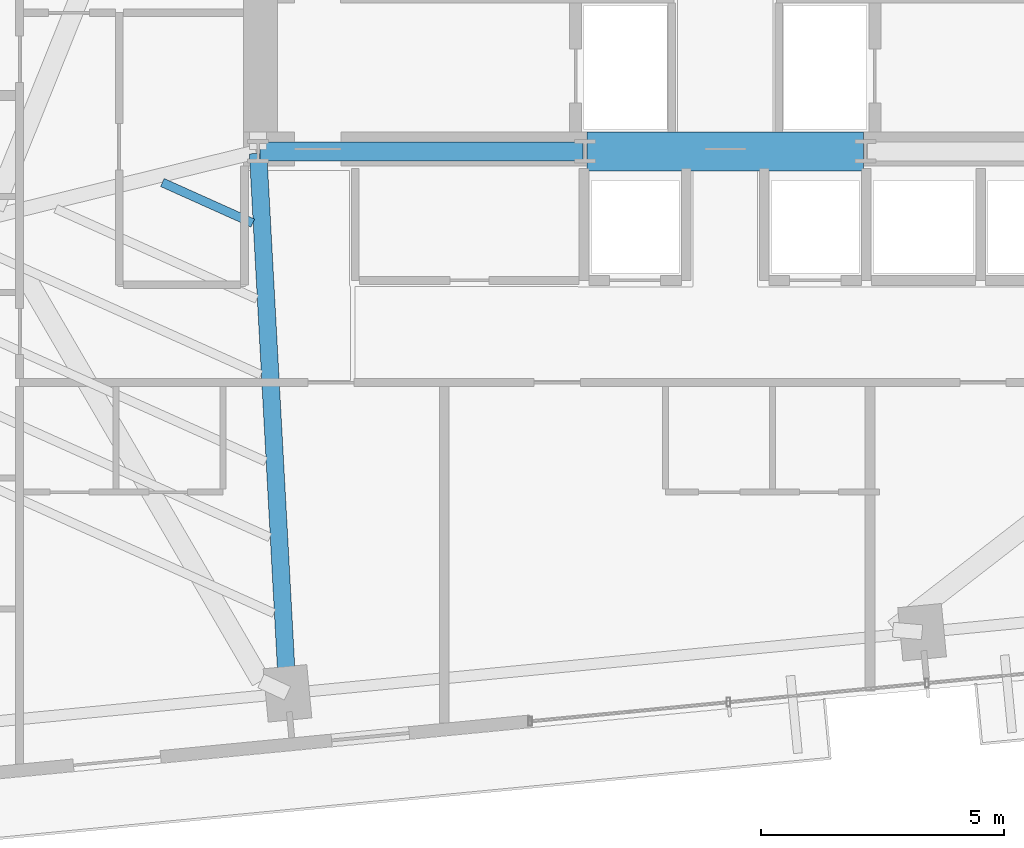
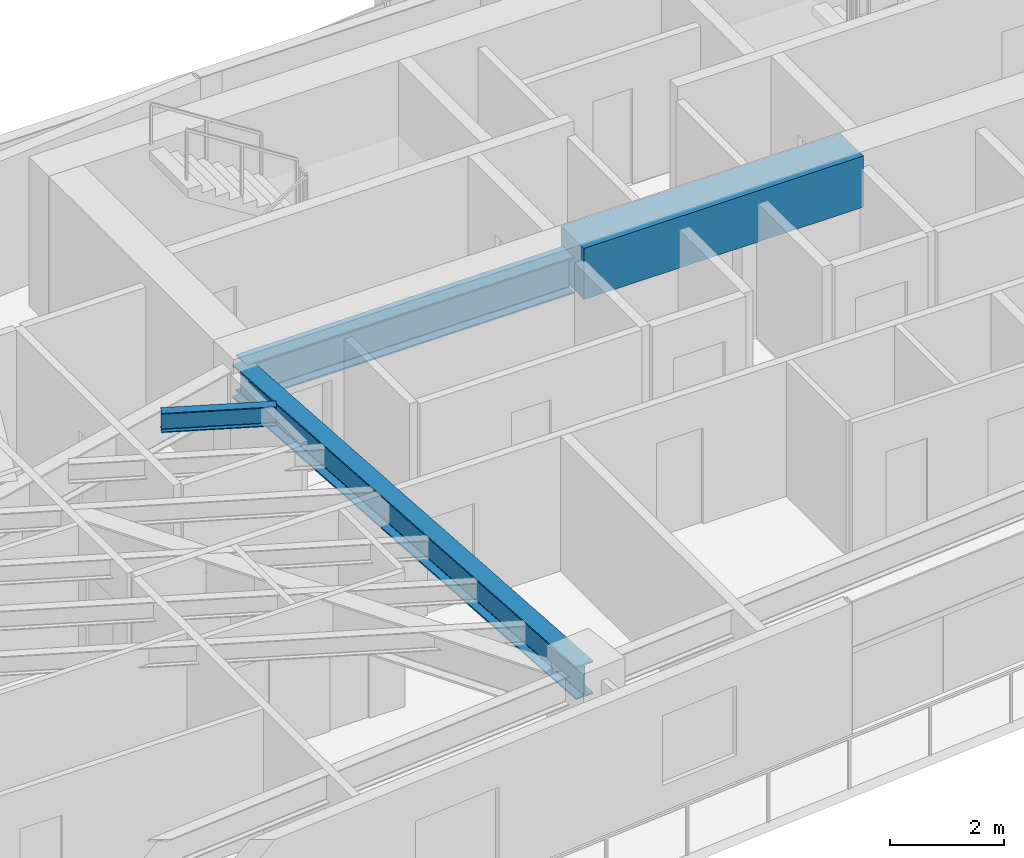
# One storey, part 7 of 27: 4 beams.
"""IFC4 building model written with IfcOpenShell, lengths in metres."""

from ifc_helpers import new_model, si_unit, direction, frame, origin, origin_2d, place, context, subcontext, project, spatial, rectangle, i_section, extrude, source, transform, mapped, material, material_profile, profile_set, type_object, type_shapes, element, save


model = new_model("IFC4")

# Units and contexts
model_context = context("Model", 3, precision=1e-05, world=origin(), true_north=direction((0.0, 1.0)))
body_context = subcontext(model_context, "Body", "Model", "MODEL_VIEW")
ifc_project = project(units=[si_unit("LENGTHUNIT", "METRE"), si_unit("AREAUNIT", "SQUARE_METRE"), si_unit("VOLUMEUNIT", "CUBIC_METRE"), si_unit("PLANEANGLEUNIT", "RADIAN"), si_unit("MASSUNIT", "GRAM", prefix="KILO")], contexts=[model_context])

# Site, building, storey
site_placement = place(None, origin())
site = spatial("IfcSite", under=ifc_project, at=site_placement, CompositionType="ELEMENT")
building_placement = place(site_placement, origin())
building = spatial("IfcBuilding", under=site, at=building_placement, Name="Astriad Promenade Condominiums", CompositionType="ELEMENT")
storey_placement = place(building_placement, frame((0.0, 0.0, 116.199951171875)))
storey = spatial("IfcBuildingStorey", under=building, at=storey_placement, Name="L33", CompositionType="ELEMENT", Elevation=116.199951171875)

# Beams
ifc_material_1 = material(Name="Steel ASTM A992 Grade 50", Category="steel")
ifc_material_profile_1 = material_profile(ifc_material_1, i_section(OverallWidth=0.3837890625, OverallDepth=0.785888671875, WebThickness=0.019775390625, FlangeThickness=0.033447265625, FilletRadius=0.021484375, at=origin_2d()), Name="W30X211")
ifc_profile_set_1 = profile_set([ifc_material_profile_1], Name="Steel ASTM A992 Grade 50")
beam_type_1 = type_object("IfcBeamType", Name="STEEL FLOOR GIRDER W30X211", PredefinedType="BEAM", material=ifc_profile_set_1)
shared_shape_1 = source(origin(), body_context, "Body", "SweptSolid", [
    extrude(i_section(OverallWidth=0.3837890625, OverallDepth=0.785888671875, WebThickness=0.019775390625, FlangeThickness=0.033447265625, FilletRadius=0.021484375, at=origin_2d()), origin(), (0.0, 0.0, 1.0), 6.64013671875),
])
type_shapes(beam_type_1, [shared_shape_1])
beam_1_placement = place(storey_placement, frame((26.43994140625, 17.39990234375, 2.507080078125), z_axis=(1.0, 0.0, 0.0), x_axis=(0.0, 1.0, 0.0)))
element("IfcBeam", 1, at=beam_1_placement, inside=storey, type_object=beam_type_1, Name="Core Ring Beam CG-S1-L33", PredefinedType="BEAM", context=body_context, shape_type="MappedRepresentation", body=[
    mapped(shared_shape_1, transform((0.0, 0.0, 0.0), scale=1.0)),
])
ifc_material_2 = material(Name="Concrete C80/95", Category="concrete")
ifc_material_profile_2 = material_profile(ifc_material_2, rectangle(XDim=0.800048828125, YDim=1.10009765625, at=origin_2d()), Name="RC-BM-800X1100")
ifc_profile_set_2 = profile_set([ifc_material_profile_2], Name="Concrete C80/95")
beam_type_2 = type_object("IfcBeamType", Name="CONCRETE CORE COUPLING LINTEL 800X1100", PredefinedType="LINTEL", material=ifc_profile_set_2)
shared_shape_2 = source(origin(), body_context, "Body", "SweptSolid", [
    extrude(rectangle(XDim=0.800048828125, YDim=1.10009765625, at=origin_2d()), origin(), (0.0, 0.0, 1.0), 5.68017578125),
])
type_shapes(beam_type_2, [shared_shape_2])
beam_2_placement = place(storey_placement, frame((33.159912109375, 17.39990234375, 2.630126953125), z_axis=(1.0, 0.0, 0.0), x_axis=(0.0, 1.0, 0.0)))
element("IfcBeam", 2, at=beam_2_placement, inside=storey, type_object=beam_type_2, Name="Core Ring Beam CG-S2-L33", PredefinedType="LINTEL", context=body_context, shape_type="MappedRepresentation", body=[
    mapped(shared_shape_2, transform((0.0, 0.0, 0.0), scale=1.0)),
])
ifc_material_profile_3 = material_profile(ifc_material_1, i_section(OverallWidth=0.35791015625, OverallDepth=0.706298828125, WebThickness=0.018310546875, FlangeThickness=0.0302734375, FilletRadius=0.020263671875, at=origin_2d()), Name="W27X178")
ifc_profile_set_3 = profile_set([ifc_material_profile_3], Name="Steel ASTM A992 Grade 50")
beam_type_3 = type_object("IfcBeamType", Name="STEEL FLOOR GIRDER W27X178", PredefinedType="BEAM", material=ifc_profile_set_3)
shared_shape_3 = source(origin(), body_context, "Body", "SweptSolid", [
    extrude(i_section(OverallWidth=0.35791015625, OverallDepth=0.706298828125, WebThickness=0.018310546875, FlangeThickness=0.0302734375, FilletRadius=0.020263671875, at=origin_2d()), origin(), (0.0, 0.0, 1.0), 11.071533203125),
])
type_shapes(beam_type_3, [shared_shape_3])
beam_3_placement = place(storey_placement, frame((27.00341796875, 6.304931640625, 2.546875), z_axis=(-0.05431219074, 0.998524003686, 0.0), x_axis=(-0.998524003686, -0.05431219074, 0.0)))
element("IfcBeam", 3, at=beam_3_placement, inside=storey, type_object=beam_type_3, Name="Primary Floor Girder PG-W2-L33", PredefinedType="BEAM", context=body_context, shape_type="MappedRepresentation", body=[
    mapped(shared_shape_3, transform((0.0, 0.0, 0.0), scale=1.0)),
])
ifc_material_profile_4 = material_profile(ifc_material_1, i_section(OverallWidth=0.180908203125, OverallDepth=0.417236328125, WebThickness=0.010986328125, FlangeThickness=0.018310546875, FilletRadius=0.013916015625, at=origin_2d()), Name="W16X57")
ifc_profile_set_4 = profile_set([ifc_material_profile_4], Name="Steel ASTM A992 Grade 50")
beam_type_4 = type_object("IfcBeamType", Name="STEEL FLOOR JOIST W16X57", PredefinedType="JOIST", material=ifc_profile_set_4)
shared_shape_4 = source(origin(), body_context, "Body", "SweptSolid", [
    extrude(i_section(OverallWidth=0.180908203125, OverallDepth=0.417236328125, WebThickness=0.010986328125, FlangeThickness=0.018310546875, FilletRadius=0.013916015625, at=origin_2d()), origin(), (0.0, 0.0, 1.0), 2.03564453125),
])
type_shapes(beam_type_4, [shared_shape_4])
beam_4_placement = place(storey_placement, frame((24.434814453125, 16.76123046875, 2.69140625), z_axis=(0.912286908711, -0.409551701492, 0.0), x_axis=(0.409551701492, 0.912286908711, 0.0)))
element("IfcBeam", 4, at=beam_4_placement, inside=storey, type_object=beam_type_4, Name="Secondary Composite Floor Joist JW1-6-L33", PredefinedType="JOIST", context=body_context, shape_type="MappedRepresentation", body=[
    mapped(shared_shape_4, transform((0.0, 0.0, 0.0), scale=1.0)),
])

save(model, "model.ifc")
